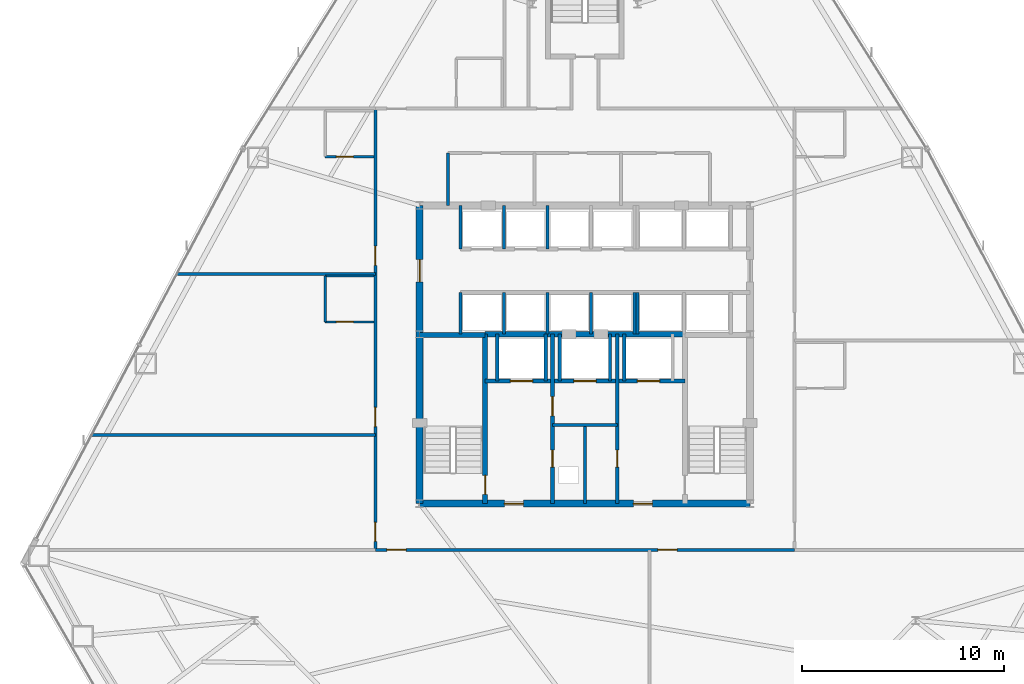
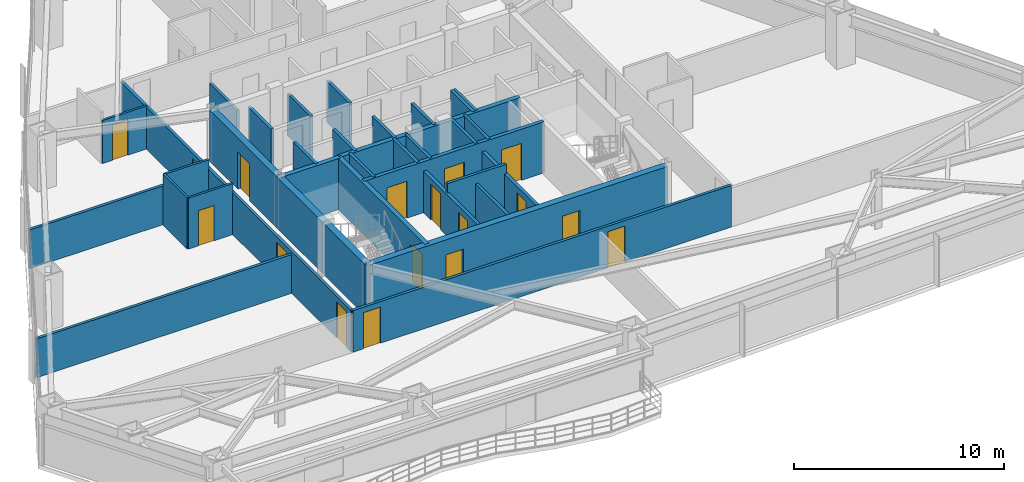
# One storey, part 9 of 13: 33 walls, 17 doors, 17 openings.
"""IFC4 building model written with IfcOpenShell, lengths in metres."""

from ifc_helpers import new_model, si_unit, direction, frame, frame_2d, origin, place, context, subcontext, project, spatial, rectangle, extrude, material, layer, layer_set, type_object, element, fill, save


model = new_model("IFC4")

# Units and contexts
model_context = context("Model", 3, precision=1e-05, world=origin(), true_north=direction((0.0, 1.0)))
body_context = subcontext(model_context, "Body", "Model", "MODEL_VIEW")
ifc_project = project(units=[si_unit("LENGTHUNIT", "METRE"), si_unit("AREAUNIT", "SQUARE_METRE"), si_unit("VOLUMEUNIT", "CUBIC_METRE"), si_unit("PLANEANGLEUNIT", "RADIAN"), si_unit("MASSUNIT", "GRAM", prefix="KILO")], contexts=[model_context])

# Site, building, storey
site_placement = place(None, origin())
site = spatial("IfcSite", under=ifc_project, at=site_placement, CompositionType="ELEMENT")
building_placement = place(site_placement, origin())
building = spatial("IfcBuilding", under=site, at=building_placement, Name="Varakhsha Concourse Tower", CompositionType="ELEMENT")
storey_placement = place(building_placement, frame((0.0, 0.0, 92.60009765625)))
storey = spatial("IfcBuildingStorey", under=building, at=storey_placement, Name="L26", CompositionType="ELEMENT", Elevation=92.60009765625)

# Wall, openings, doors
ifc_material_1 = material(Name="Concrete fc 65 MPa", Category="concrete")
ifc_layer_1 = layer(ifc_material_1, 0.35009765625, Name="WL-CORE-350")
ifc_layer_set_1 = layer_set([ifc_layer_1], Name="Concrete fc 65 MPa")
wall_type_1 = type_object("IfcWallType", Name="WL-CORE-350", PredefinedType="SHEAR", material=ifc_layer_set_1)
wall_1_placement = place(storey_placement, frame((31.800048828125, 16.39990234375, 0.0), z_axis=(0.0, 0.0, 1.0), x_axis=(1.0, 0.0, 0.0)))
wall_1 = element("IfcWall", 1, at=wall_1_placement, inside=storey, type_object=wall_type_1, Name="L26 Wall CWALL-S-L26", PredefinedType="SHEAR", context=body_context, shape_type="SweptSolid", body=[
    extrude(rectangle(XDim=16.39990234375, YDim=0.35009765625, at=frame_2d((8.199951171875, 0.0))), origin(), (0.0, 0.0, 1.0), 2.969970703125),
])
opening_1_placement = place(wall_1_placement, frame((4.199951171875, 0.0, 0.0)))
opening_1 = element("IfcOpeningElement", 2, at=opening_1_placement, cuts=wall_1, Name="Opening DF-05", PredefinedType="OPENING", context=body_context, shape_type="SweptSolid", body=[
    extrude(rectangle(XDim=0.949951171875, YDim=2.10009765625, at=frame_2d((0.47509765625, 1.050048828125))), frame((0.0, 0.18505859375, 0.0), z_axis=(0.0, -1.0, 0.0), x_axis=(1.0, 0.0, 0.0)), (0.0, 0.0, 1.0), 0.3701171875),
])
opening_2_placement = place(wall_1_placement, frame((10.60009765625, 0.0, 0.0)))
opening_2 = element("IfcOpeningElement", 3, at=opening_2_placement, cuts=wall_1, Name="Opening DF-05", PredefinedType="OPENING", context=body_context, shape_type="SweptSolid", body=[
    extrude(rectangle(XDim=0.949951171875, YDim=2.10009765625, at=frame_2d((0.47509765625, 1.050048828125))), frame((0.0, 0.18505859375, 0.0), z_axis=(0.0, -1.0, 0.0), x_axis=(1.0, 0.0, 0.0)), (0.0, 0.0, 1.0), 0.3701171875),
])
ifc_material_2 = material(Name="Hollow Galvanised Steel Fire Door Assembly", Category="steel")
door_type_1 = type_object("IfcDoorType", Name="DR-FD60-950", OperationType="NOTDEFINED", PredefinedType="DOOR", material=ifc_material_2)
door_1_placement = place(opening_1_placement, origin())
door_1 = element("IfcDoor", 4, at=door_1_placement, inside=storey, type_object=door_type_1, Name="L26 Firefighting Lobby West Door", OperationType="SINGLE_SWING_RIGHT", OverallHeight=2.10009765625, OverallWidth=0.949951171875, PredefinedType="DOOR", context=body_context, shape_type="SweptSolid", body=[
    extrude(rectangle(XDim=0.949951171875, YDim=2.10009765625, at=frame_2d((0.47509765625, 1.050048828125))), frame((0.0, 0.02490234375, 0.0), z_axis=(0.0, -1.0, 0.0), x_axis=(1.0, 0.0, 0.0)), (0.0, 0.0, 1.0), 0.050048828125),
])
fill(opening_1, door_1)
door_2_placement = place(opening_2_placement, origin())
door_2 = element("IfcDoor", 5, at=door_2_placement, inside=storey, type_object=door_type_1, Name="L26 Firefighting Lobby East Door", OperationType="SINGLE_SWING_LEFT", OverallHeight=2.10009765625, OverallWidth=0.949951171875, PredefinedType="DOOR", context=body_context, shape_type="SweptSolid", body=[
    extrude(rectangle(XDim=0.949951171875, YDim=2.10009765625, at=frame_2d((0.47509765625, 1.050048828125))), frame((0.0, 0.02490234375, 0.0), z_axis=(0.0, -1.0, 0.0), x_axis=(1.0, 0.0, 0.0)), (0.0, 0.0, 1.0), 0.050048828125),
])
fill(opening_2, door_2)

# Wall, opening, door
wall_2_placement = place(storey_placement, frame((31.800048828125, 16.39990234375, 0.0), z_axis=(0.0, 0.0, 1.0), x_axis=(0.0, 1.0, 0.0)))
wall_2 = element("IfcWall", 6, at=wall_2_placement, inside=storey, type_object=wall_type_1, Name="L26 Wall CWALL-W-L26", PredefinedType="SHEAR", context=body_context, shape_type="SweptSolid", body=[
    extrude(rectangle(XDim=14.800048828125, YDim=0.35009765625, at=frame_2d((7.39990234375, 0.0))), origin(), (0.0, 0.0, 1.0), 2.969970703125),
])
opening_3_placement = place(wall_2_placement, frame((11.0, 0.0, 0.0)))
opening_3 = element("IfcOpeningElement", 7, at=opening_3_placement, cuts=wall_2, Name="Opening DL-01", PredefinedType="OPENING", context=body_context, shape_type="SweptSolid", body=[
    extrude(rectangle(XDim=1.10009765625, YDim=2.14990234375, at=frame_2d((0.550048828125, 1.074951171875))), frame((0.0, 0.18505859375, 0.0), z_axis=(0.0, -1.0, 0.0), x_axis=(1.0, 0.0, 0.0)), (0.0, 0.0, 1.0), 0.3701171875),
])
ifc_material_3 = material(Name="Anodised Bronze Architectural Aluminium AA 6063-T6", Category="aluminium")
door_type_2 = type_object("IfcDoorType", Name="DR-LOB-1100", OperationType="NOTDEFINED", PredefinedType="DOOR", material=ifc_material_3)
door_3_placement = place(opening_3_placement, origin())
door_3 = element("IfcDoor", 8, at=door_3_placement, inside=storey, type_object=door_type_2, Name="L26 Lift Lobby West Concourse Door", OperationType="SINGLE_SWING_LEFT", OverallHeight=2.14990234375, OverallWidth=1.10009765625, PredefinedType="DOOR", context=body_context, shape_type="SweptSolid", body=[
    extrude(rectangle(XDim=1.10009765625, YDim=2.14990234375, at=frame_2d((0.550048828125, 1.074951171875))), frame((0.0, 0.02490234375, 0.0), z_axis=(0.0, -1.0, 0.0), x_axis=(1.0, 0.0, 0.0)), (0.0, 0.0, 1.0), 0.050048828125),
])
fill(opening_3, door_3)

# Wall, openings, doors
ifc_material_4 = material(Name="Fire-Rated Type X Gypsum Partition Assembly", Category="gypsum")
ifc_layer_2 = layer(ifc_material_4, 0.179931640625, Name="WL-FFLOB-180")
ifc_layer_set_2 = layer_set([ifc_layer_2], Name="Fire-Rated Type X Gypsum Partition Assembly")
wall_type_2 = type_object("IfcWallType", Name="WL-FFLOB-180", PredefinedType="PARTITIONING", material=ifc_layer_set_2)
wall_3_placement = place(storey_placement, frame((38.389892578125, 16.39990234375, 0.0), z_axis=(0.0, 0.0, 1.0), x_axis=(0.0, 1.0, 0.0)))
wall_3 = element("IfcWall", 9, at=wall_3_placement, inside=storey, type_object=wall_type_2, Name="L26 Wall FFW-1E-L26", PredefinedType="PARTITIONING", context=body_context, shape_type="SweptSolid", body=[
    extrude(rectangle(XDim=8.400146484375, YDim=0.179931640625, at=frame_2d((4.2001953125, 0.0))), origin(), (0.0, 0.0, 1.0), 2.4208984375),
])
opening_4_placement = place(wall_3_placement, frame((1.800048828125, 0.0, 0.0)))
opening_4 = element("IfcOpeningElement", 10, at=opening_4_placement, cuts=wall_3, Name="Opening DF-07", PredefinedType="OPENING", context=body_context, shape_type="SweptSolid", body=[
    extrude(rectangle(XDim=0.85009765625, YDim=2.050048828125, at=frame_2d((0.425048828125, 1.02490234375))), frame((0.0, 0.099853515625, 0.0), z_axis=(0.0, -1.0, 0.0), x_axis=(1.0, 0.0, 0.0)), (0.0, 0.0, 1.0), 0.199951171875),
])
opening_5_placement = place(wall_3_placement, frame((4.35009765625, 0.0, 0.0)))
opening_5 = element("IfcOpeningElement", 11, at=opening_5_placement, cuts=wall_3, Name="Opening DF-05", PredefinedType="OPENING", context=body_context, shape_type="SweptSolid", body=[
    extrude(rectangle(XDim=0.949951171875, YDim=2.10009765625, at=frame_2d((0.47509765625, 1.050048828125))), frame((0.0, 0.099853515625, 0.0), z_axis=(0.0, -1.0, 0.0), x_axis=(1.0, 0.0, 0.0)), (0.0, 0.0, 1.0), 0.199951171875),
])
door_type_3 = type_object("IfcDoorType", Name="DR-FD60-850", OperationType="NOTDEFINED", PredefinedType="DOOR", material=ifc_material_2)
door_4_placement = place(opening_4_placement, origin())
door_4 = element("IfcDoor", 12, at=door_4_placement, inside=storey, type_object=door_type_3, Name="L26 Power Metering Closet Door", OperationType="SINGLE_SWING_LEFT", OverallHeight=2.050048828125, OverallWidth=0.85009765625, PredefinedType="DOOR", context=body_context, shape_type="SweptSolid", body=[
    extrude(rectangle(XDim=0.85009765625, YDim=2.050048828125, at=frame_2d((0.425048828125, 1.02490234375))), frame((0.0, 0.02490234375, 0.0), z_axis=(0.0, -1.0, 0.0), x_axis=(1.0, 0.0, 0.0)), (0.0, 0.0, 1.0), 0.050048828125),
])
fill(opening_4, door_4)
door_5_placement = place(opening_5_placement, origin())
door_5 = element("IfcDoor", 13, at=door_5_placement, inside=storey, type_object=door_type_1, Name="L26 Service Vestibule Door", OperationType="SINGLE_SWING_RIGHT", OverallHeight=2.10009765625, OverallWidth=0.949951171875, PredefinedType="DOOR", context=body_context, shape_type="SweptSolid", body=[
    extrude(rectangle(XDim=0.949951171875, YDim=2.10009765625, at=frame_2d((0.47509765625, 1.050048828125))), frame((0.0, 0.02490234375, 0.0), z_axis=(0.0, -1.0, 0.0), x_axis=(1.0, 0.0, 0.0)), (0.0, 0.0, 1.0), 0.050048828125),
])
fill(opening_5, door_5)

# Wall, opening, door
wall_4_placement = place(storey_placement, frame((41.610107421875, 16.39990234375, 0.0), z_axis=(0.0, 0.0, 1.0), x_axis=(0.0, 1.0, 0.0)))
wall_4 = element("IfcWall", 14, at=wall_4_placement, inside=storey, type_object=wall_type_2, Name="L26 Wall FFW-2W-L26", PredefinedType="PARTITIONING", context=body_context, shape_type="SweptSolid", body=[
    extrude(rectangle(XDim=8.400146484375, YDim=0.179931640625, at=frame_2d((4.2001953125, 0.0))), origin(), (0.0, 0.0, 1.0), 2.4208984375),
])
opening_6_placement = place(wall_4_placement, frame((1.800048828125, 0.0, 0.0)))
opening_6 = element("IfcOpeningElement", 15, at=opening_6_placement, cuts=wall_4, Name="Opening DF-07", PredefinedType="OPENING", context=body_context, shape_type="SweptSolid", body=[
    extrude(rectangle(XDim=0.85009765625, YDim=2.050048828125, at=frame_2d((0.425048828125, 1.02490234375))), frame((0.0, 0.099853515625, 0.0), z_axis=(0.0, -1.0, 0.0), x_axis=(1.0, 0.0, 0.0)), (0.0, 0.0, 1.0), 0.199951171875),
])
door_6_placement = place(opening_6_placement, origin())
door_6 = element("IfcDoor", 16, at=door_6_placement, inside=storey, type_object=door_type_3, Name="L26 BMS Control Closet Door", OperationType="SINGLE_SWING_RIGHT", OverallHeight=2.050048828125, OverallWidth=0.85009765625, PredefinedType="DOOR", context=body_context, shape_type="SweptSolid", body=[
    extrude(rectangle(XDim=0.85009765625, YDim=2.050048828125, at=frame_2d((0.425048828125, 1.02490234375))), frame((0.0, 0.02490234375, 0.0), z_axis=(0.0, -1.0, 0.0), x_axis=(1.0, 0.0, 0.0)), (0.0, 0.0, 1.0), 0.050048828125),
])
fill(opening_6, door_6)

# Wall
ifc_material_5 = material(Name="Acoustic Gypsum Board Partition Assembly", Category="gypsum")
ifc_layer_3 = layer(ifc_material_5, 0.1201171875, Name="WL-PART-120")
ifc_layer_set_3 = layer_set([ifc_layer_3], Name="Acoustic Gypsum Board Partition Assembly")
wall_type_3 = type_object("IfcWallType", Name="WL-PART-120", PredefinedType="PARTITIONING", material=ifc_layer_set_3)
wall_5_placement = place(storey_placement, frame((27.110107421875, 25.409912109375, 0.0), z_axis=(0.0, 0.0, 1.0), x_axis=(0.0, 1.0, 0.0)))
element("IfcWall", 17, at=wall_5_placement, inside=storey, type_object=wall_type_3, Name="L26 Wall ENSW-W-L26-H04", PredefinedType="PARTITIONING", context=body_context, shape_type="SweptSolid", body=[
    extrude(rectangle(XDim=2.280029296875, YDim=0.1201171875, at=frame_2d((1.14013671875, 0.0))), origin(), (0.0, 0.0, 1.0), 2.969970703125),
])

# Wall, opening, door
wall_6_placement = place(storey_placement, frame((27.110107421875, 25.409912109375, 0.0), z_axis=(0.0, 0.0, 1.0), x_axis=(1.0, 0.0, 0.0)))
wall_6 = element("IfcWall", 18, at=wall_6_placement, inside=storey, type_object=wall_type_3, Name="L26 Wall ENSW-S-L26-H04", PredefinedType="PARTITIONING", context=body_context, shape_type="SweptSolid", body=[
    extrude(rectangle(XDim=2.429931640625, YDim=0.1201171875, at=frame_2d((1.21484375, 0.0))), origin(), (0.0, 0.0, 1.0), 2.969970703125),
])
opening_7_placement = place(wall_6_placement, frame((0.550048828125, 0.0, 0.0)))
opening_7 = element("IfcOpeningElement", 19, at=opening_7_placement, cuts=wall_6, Name="Opening DI-01", PredefinedType="OPENING", context=body_context, shape_type="SweptSolid", body=[
    extrude(rectangle(XDim=0.85009765625, YDim=2.050048828125, at=frame_2d((0.425048828125, 1.02490234375))), frame((0.0, 0.070068359375, 0.0), z_axis=(0.0, -1.0, 0.0), x_axis=(1.0, 0.0, 0.0)), (0.0, 0.0, 1.0), 0.14013671875),
])
ifc_material_6 = material(Name="Architectural Walnut Acoustic Timber Door", Category="wood")
door_type_4 = type_object("IfcDoorType", Name="DR-INT-850", OperationType="NOTDEFINED", PredefinedType="DOOR", material=ifc_material_6)
door_7_placement = place(opening_7_placement, origin())
door_7 = element("IfcDoor", 20, at=door_7_placement, inside=storey, type_object=door_type_4, Name="L26 En-suite Bathroom Door L26-H04", OperationType="SINGLE_SWING_RIGHT", OverallHeight=2.050048828125, OverallWidth=0.85009765625, PredefinedType="DOOR", context=body_context, shape_type="SweptSolid", body=[
    extrude(rectangle(XDim=0.85009765625, YDim=2.050048828125, at=frame_2d((0.425048828125, 1.02490234375))), frame((0.0, 0.02490234375, 0.0), z_axis=(0.0, -1.0, 0.0), x_axis=(1.0, 0.0, 0.0)), (0.0, 0.0, 1.0), 0.050048828125),
])
fill(opening_7, door_7)

# Wall
wall_7_placement = place(storey_placement, frame((27.110107421875, 27.68994140625, 0.0), z_axis=(0.0, 0.0, 1.0), x_axis=(1.0, 0.0, 0.0)))
element("IfcWall", 21, at=wall_7_placement, inside=storey, type_object=wall_type_3, Name="L26 Wall ENSW-N-L26-H04", PredefinedType="PARTITIONING", context=body_context, shape_type="SweptSolid", body=[
    extrude(rectangle(XDim=2.429931640625, YDim=0.1201171875, at=frame_2d((1.21484375, 0.0))), origin(), (0.0, 0.0, 1.0), 2.969970703125),
])

# Wall, opening, door
wall_8_placement = place(storey_placement, frame((27.110107421875, 33.610107421875, 0.0), z_axis=(0.0, 0.0, 1.0), x_axis=(1.0, 0.0, 0.0)))
wall_8 = element("IfcWall", 22, at=wall_8_placement, inside=storey, type_object=wall_type_3, Name="L26 Wall ENSW-S-L26-H05", PredefinedType="PARTITIONING", context=body_context, shape_type="SweptSolid", body=[
    extrude(rectangle(XDim=2.429931640625, YDim=0.1201171875, at=frame_2d((1.21484375, 0.0))), origin(), (0.0, 0.0, 1.0), 2.5029296875),
])
opening_8_placement = place(wall_8_placement, frame((0.550048828125, 0.0, 0.0)))
opening_8 = element("IfcOpeningElement", 23, at=opening_8_placement, cuts=wall_8, Name="Opening DI-01", PredefinedType="OPENING", context=body_context, shape_type="SweptSolid", body=[
    extrude(rectangle(XDim=0.85009765625, YDim=2.050048828125, at=frame_2d((0.425048828125, 1.02490234375))), frame((0.0, 0.070068359375, 0.0), z_axis=(0.0, -1.0, 0.0), x_axis=(1.0, 0.0, 0.0)), (0.0, 0.0, 1.0), 0.14013671875),
])
door_8_placement = place(opening_8_placement, origin())
door_8 = element("IfcDoor", 24, at=door_8_placement, inside=storey, type_object=door_type_4, Name="L26 En-suite Bathroom Door L26-H05", OperationType="SINGLE_SWING_RIGHT", OverallHeight=2.050048828125, OverallWidth=0.85009765625, PredefinedType="DOOR", context=body_context, shape_type="SweptSolid", body=[
    extrude(rectangle(XDim=0.85009765625, YDim=2.050048828125, at=frame_2d((0.425048828125, 1.02490234375))), frame((0.0, 0.02490234375, 0.0), z_axis=(0.0, -1.0, 0.0), x_axis=(1.0, 0.0, 0.0)), (0.0, 0.0, 1.0), 0.050048828125),
])
fill(opening_8, door_8)

# Walls
ifc_layer_4 = layer(ifc_material_4, 0.14990234375, Name="WL-PART-150")
ifc_layer_set_4 = layer_set([ifc_layer_4], Name="Fire-Rated Type X Gypsum Partition Assembly")
wall_type_4 = type_object("IfcWallType", Name="WL-PART-150", PredefinedType="PARTITIONING", material=ifc_layer_set_4)
wall_9_placement = place(storey_placement, frame((38.389892578125, 20.300048828125, 0.0), z_axis=(0.0, 0.0, 1.0), x_axis=(1.0, 0.0, 0.0)))
element("IfcWall", 25, at=wall_9_placement, inside=storey, type_object=wall_type_4, Name="L26 Wall RSW-TH-L26", PredefinedType="PARTITIONING", context=body_context, shape_type="SweptSolid", body=[
    extrude(rectangle(XDim=3.22021484375, YDim=0.14990234375, at=frame_2d((1.610107421875, 0.0))), origin(), (0.0, 0.0, 1.0), 2.969970703125),
])
wall_10_placement = place(storey_placement, frame((40.0, 16.39990234375, 0.0), z_axis=(0.0, 0.0, 1.0), x_axis=(0.0, 1.0, 0.0)))
element("IfcWall", 26, at=wall_10_placement, inside=storey, type_object=wall_type_4, Name="L26 Wall RSW-TV-L26", PredefinedType="PARTITIONING", context=body_context, shape_type="SweptSolid", body=[
    extrude(rectangle(XDim=3.900146484375, YDim=0.14990234375, at=frame_2d((1.9501953125, 0.0))), origin(), (0.0, 0.0, 1.0), 2.4208984375),
])
wall_11_placement = place(storey_placement, frame((33.199951171875, 31.199951171875, 0.0), z_axis=(0.0, 0.0, 1.0), x_axis=(0.0, 1.0, 0.0)))
element("IfcWall", 27, at=wall_11_placement, inside=storey, type_object=wall_type_4, Name="L26 Wall NBOH-W-L26", PredefinedType="PARTITIONING", context=body_context, shape_type="SweptSolid", body=[
    extrude(rectangle(XDim=2.60009765625, YDim=0.14990234375, at=frame_2d((1.300048828125, 0.0))), origin(), (0.0, 0.0, 1.0), 2.4208984375),
])

# Wall, openings, doors
wall_12_placement = place(storey_placement, frame((29.60009765625, 14.10009765625, 0.0), z_axis=(0.0, 0.0, 1.0), x_axis=(1.0, 0.0, 0.0)))
wall_12 = element("IfcWall", 28, at=wall_12_placement, inside=storey, type_object=wall_type_4, Name="L26 Wall CRW-S-L26", PredefinedType="PARTITIONING", context=body_context, shape_type="SweptSolid", body=[
    extrude(rectangle(XDim=20.7998046875, YDim=0.14990234375, at=frame_2d((10.39990234375, 0.0))), origin(), (0.0, 0.0, 1.0), 2.4208984375),
])
opening_9_placement = place(wall_12_placement, frame((0.570068359375, 0.0, 0.0)))
opening_9 = element("IfcOpeningElement", 29, at=opening_9_placement, cuts=wall_12, Name="Opening DF-05", PredefinedType="OPENING", context=body_context, shape_type="SweptSolid", body=[
    extrude(rectangle(XDim=0.949951171875, YDim=2.10009765625, at=frame_2d((0.47509765625, 1.050048828125))), frame((0.0, 0.0849609375, 0.0), z_axis=(0.0, -1.0, 0.0), x_axis=(1.0, 0.0, 0.0)), (0.0, 0.0, 1.0), 0.169921875),
])
opening_10_placement = place(wall_12_placement, frame((14.02001953125, 0.0, 0.0)))
opening_10 = element("IfcOpeningElement", 30, at=opening_10_placement, cuts=wall_12, Name="Opening DF-05", PredefinedType="OPENING", context=body_context, shape_type="SweptSolid", body=[
    extrude(rectangle(XDim=0.949951171875, YDim=2.10009765625, at=frame_2d((0.47509765625, 1.050048828125))), frame((0.0, 0.0849609375, 0.0), z_axis=(0.0, -1.0, 0.0), x_axis=(1.0, 0.0, 0.0)), (0.0, 0.0, 1.0), 0.169921875),
])
door_9_placement = place(opening_9_placement, origin())
door_9 = element("IfcDoor", 31, at=door_9_placement, inside=storey, type_object=door_type_1, Name="L26 Hospitality Conservatory Lounge L26-H01 Door", OperationType="SINGLE_SWING_LEFT", OverallHeight=2.10009765625, OverallWidth=0.949951171875, PredefinedType="DOOR", context=body_context, shape_type="SweptSolid", body=[
    extrude(rectangle(XDim=0.949951171875, YDim=2.10009765625, at=frame_2d((0.47509765625, 1.050048828125))), frame((0.0, 0.02490234375, 0.0), z_axis=(0.0, -1.0, 0.0), x_axis=(1.0, 0.0, 0.0)), (0.0, 0.0, 1.0), 0.050048828125),
])
fill(opening_9, door_9)
door_10_placement = place(opening_10_placement, origin())
door_10 = element("IfcDoor", 32, at=door_10_placement, inside=storey, type_object=door_type_1, Name="L26 Hospitality Conservatory Lounge L26-H02 Door", OperationType="SINGLE_SWING_RIGHT", OverallHeight=2.10009765625, OverallWidth=0.949951171875, PredefinedType="DOOR", context=body_context, shape_type="SweptSolid", body=[
    extrude(rectangle(XDim=0.949951171875, YDim=2.10009765625, at=frame_2d((0.47509765625, 1.050048828125))), frame((0.0, 0.02490234375, 0.0), z_axis=(0.0, -1.0, 0.0), x_axis=(1.0, 0.0, 0.0)), (0.0, 0.0, 1.0), 0.050048828125),
])
fill(opening_10, door_10)

wall_13_placement = place(storey_placement, frame((29.60009765625, 14.10009765625, 0.0), z_axis=(0.0, 0.0, 1.0), x_axis=(0.0, 1.0, 0.0)))
wall_13 = element("IfcWall", 33, at=wall_13_placement, inside=storey, type_object=wall_type_4, Name="L26 Wall CRW-W-L26", PredefinedType="PARTITIONING", context=body_context, shape_type="SweptSolid", body=[
    extrude(rectangle(XDim=21.89990234375, YDim=0.14990234375, at=frame_2d((10.949951171875, 0.0))), origin(), (0.0, 0.0, 1.0), 2.4208984375),
])
opening_11_placement = place(wall_13_placement, frame((0.419921875, 0.0, 0.0)))
opening_11 = element("IfcOpeningElement", 34, at=opening_11_placement, cuts=wall_13, Name="Opening DF-05", PredefinedType="OPENING", context=body_context, shape_type="SweptSolid", body=[
    extrude(rectangle(XDim=0.949951171875, YDim=2.10009765625, at=frame_2d((0.47509765625, 1.050048828125))), frame((0.0, 0.0849609375, 0.0), z_axis=(0.0, -1.0, 0.0), x_axis=(1.0, 0.0, 0.0)), (0.0, 0.0, 1.0), 0.169921875),
])
opening_12_placement = place(wall_13_placement, frame((6.1201171875, 0.0, 0.0)))
opening_12 = element("IfcOpeningElement", 35, at=opening_12_placement, cuts=wall_13, Name="Opening DF-05", PredefinedType="OPENING", context=body_context, shape_type="SweptSolid", body=[
    extrude(rectangle(XDim=0.949951171875, YDim=2.10009765625, at=frame_2d((0.47509765625, 1.050048828125))), frame((0.0, 0.0849609375, 0.0), z_axis=(0.0, -1.0, 0.0), x_axis=(1.0, 0.0, 0.0)), (0.0, 0.0, 1.0), 0.169921875),
])
opening_13_placement = place(wall_13_placement, frame((14.1201171875, 0.0, 0.0)))
opening_13 = element("IfcOpeningElement", 36, at=opening_13_placement, cuts=wall_13, Name="Opening DF-05", PredefinedType="OPENING", context=body_context, shape_type="SweptSolid", body=[
    extrude(rectangle(XDim=0.949951171875, YDim=2.10009765625, at=frame_2d((0.47509765625, 1.050048828125))), frame((0.0, 0.0849609375, 0.0), z_axis=(0.0, -1.0, 0.0), x_axis=(1.0, 0.0, 0.0)), (0.0, 0.0, 1.0), 0.169921875),
])
door_11_placement = place(opening_11_placement, origin())
door_11 = element("IfcDoor", 37, at=door_11_placement, inside=storey, type_object=door_type_1, Name="L26 Hospitality Conservatory Lounge L26-H03 Door", OperationType="SINGLE_SWING_LEFT", OverallHeight=2.10009765625, OverallWidth=0.949951171875, PredefinedType="DOOR", context=body_context, shape_type="SweptSolid", body=[
    extrude(rectangle(XDim=0.949951171875, YDim=2.10009765625, at=frame_2d((0.47509765625, 1.050048828125))), frame((0.0, 0.02490234375, 0.0), z_axis=(0.0, -1.0, 0.0), x_axis=(1.0, 0.0, 0.0)), (0.0, 0.0, 1.0), 0.050048828125),
])
fill(opening_11, door_11)
door_12_placement = place(opening_12_placement, origin())
door_12 = element("IfcDoor", 38, at=door_12_placement, inside=storey, type_object=door_type_1, Name="L26 Hotel Corner Suite L26-H04 Entry Door", OperationType="SINGLE_SWING_RIGHT", OverallHeight=2.10009765625, OverallWidth=0.949951171875, PredefinedType="DOOR", context=body_context, shape_type="SweptSolid", body=[
    extrude(rectangle(XDim=0.949951171875, YDim=2.10009765625, at=frame_2d((0.47509765625, 1.050048828125))), frame((0.0, 0.02490234375, 0.0), z_axis=(0.0, -1.0, 0.0), x_axis=(1.0, 0.0, 0.0)), (0.0, 0.0, 1.0), 0.050048828125),
])
fill(opening_12, door_12)
door_13_placement = place(opening_13_placement, origin())
door_13 = element("IfcDoor", 39, at=door_13_placement, inside=storey, type_object=door_type_1, Name="L26 Hotel Corner Suite L26-H05 Entry Door", OperationType="SINGLE_SWING_LEFT", OverallHeight=2.10009765625, OverallWidth=0.949951171875, PredefinedType="DOOR", context=body_context, shape_type="SweptSolid", body=[
    extrude(rectangle(XDim=0.949951171875, YDim=2.10009765625, at=frame_2d((0.47509765625, 1.050048828125))), frame((0.0, 0.02490234375, 0.0), z_axis=(0.0, -1.0, 0.0), x_axis=(1.0, 0.0, 0.0)), (0.0, 0.0, 1.0), 0.050048828125),
])
fill(opening_13, door_13)

# Walls
wall_14_placement = place(storey_placement, frame((15.52001953125, 19.800048828125, 0.0), z_axis=(0.0, 0.0, 1.0), x_axis=(1.0, 0.0, 0.0)))
element("IfcWall", 40, at=wall_14_placement, inside=storey, type_object=wall_type_4, Name="L26 Wall HDIV-W1-L26", PredefinedType="PARTITIONING", context=body_context, shape_type="SweptSolid", body=[
    extrude(rectangle(XDim=14.080078125, YDim=0.14990234375, at=frame_2d((7.0400390625, 0.0))), origin(), (0.0, 0.0, 1.0), 2.2578125),
])
wall_15_placement = place(storey_placement, frame((19.758056640625, 27.800048828125, 0.0), z_axis=(0.0, 0.0, 1.0), x_axis=(1.0, 0.0, 0.0)))
element("IfcWall", 41, at=wall_15_placement, inside=storey, type_object=wall_type_4, Name="L26 Wall HDIV-W2-L26", PredefinedType="PARTITIONING", context=body_context, shape_type="SweptSolid", body=[
    extrude(rectangle(XDim=9.842041015625, YDim=0.14990234375, at=frame_2d((4.9208984375, 0.0))), origin(), (0.0, 0.0, 1.0), 2.2578125),
])

# Wall, openings, doors
ifc_layer_5 = layer(ifc_material_4, 0.199951171875, Name="WL-SHAFT-220")
ifc_layer_set_5 = layer_set([ifc_layer_5], Name="Fire-Rated Type X Gypsum Partition Assembly")
wall_type_5 = type_object("IfcWallType", Name="WL-SHAFT-220", PredefinedType="SOLIDWALL", material=ifc_layer_set_5)
wall_16_placement = place(storey_placement, frame((35.044921875, 22.47998046875, 0.0), z_axis=(0.0, 0.0, 1.0), x_axis=(1.0, 0.0, 0.0)))
wall_16 = element("IfcWall", 42, at=wall_16_placement, inside=storey, type_object=wall_type_5, Name="L26 Wall FFW-NH-L26", PredefinedType="SOLIDWALL", context=body_context, shape_type="SweptSolid", body=[
    extrude(rectangle(XDim=9.91015625, YDim=0.199951171875, at=frame_2d((4.955078125, 0.0))), origin(), (0.0, 0.0, 1.0), 2.969970703125),
])
opening_14_placement = place(wall_16_placement, frame((1.2548828125, 0.0, 0.0)))
opening_14 = element("IfcOpeningElement", 43, at=opening_14_placement, cuts=wall_16, Name="Opening LD-FFL-1", PredefinedType="OPENING", context=body_context, shape_type="SweptSolid", body=[
    extrude(rectangle(XDim=1.10009765625, YDim=2.14990234375, at=frame_2d((0.550048828125, 1.074951171875))), frame((0.0, 0.10986328125, 0.0), z_axis=(0.0, -1.0, 0.0), x_axis=(1.0, 0.0, 0.0)), (0.0, 0.0, 1.0), 0.219970703125),
])
opening_15_placement = place(wall_16_placement, frame((7.554931640625, 0.0, 0.0)))
opening_15 = element("IfcOpeningElement", 44, at=opening_15_placement, cuts=wall_16, Name="Opening LD-FFL-2", PredefinedType="OPENING", context=body_context, shape_type="SweptSolid", body=[
    extrude(rectangle(XDim=1.10009765625, YDim=2.14990234375, at=frame_2d((0.550048828125, 1.074951171875))), frame((0.0, 0.10986328125, 0.0), z_axis=(0.0, -1.0, 0.0), x_axis=(1.0, 0.0, 0.0)), (0.0, 0.0, 1.0), 0.219970703125),
])
opening_16_placement = place(wall_16_placement, frame((4.405029296875, 0.0, 0.0)))
opening_16 = element("IfcOpeningElement", 45, at=opening_16_placement, cuts=wall_16, Name="Opening LD-SVL-1", PredefinedType="OPENING", context=body_context, shape_type="SweptSolid", body=[
    extrude(rectangle(XDim=1.10009765625, YDim=2.14990234375, at=frame_2d((0.550048828125, 1.074951171875))), frame((0.0, 0.10986328125, 0.0), z_axis=(0.0, -1.0, 0.0), x_axis=(1.0, 0.0, 0.0)), (0.0, 0.0, 1.0), 0.219970703125),
])
ifc_material_7 = material(Name="Brushed Austenitic Stainless Steel AISI 316", Category="steel")
door_type_5 = type_object("IfcDoorType", Name="DR-LD-1100", OperationType="DOUBLE_DOOR_SLIDING", PredefinedType="DOOR", material=ifc_material_7)
door_14_placement = place(opening_14_placement, origin())
door_14 = element("IfcDoor", 46, at=door_14_placement, inside=storey, type_object=door_type_5, Name="Lift Landing Door FFL-1 L26", OperationType="DOUBLE_DOOR_SLIDING", OverallHeight=2.14990234375, OverallWidth=1.10009765625, PredefinedType="DOOR", context=body_context, shape_type="SweptSolid", body=[
    extrude(rectangle(XDim=1.10009765625, YDim=2.14990234375, at=frame_2d((0.550048828125, 1.074951171875))), frame((0.0, 0.02490234375, 0.0), z_axis=(0.0, -1.0, 0.0), x_axis=(1.0, 0.0, 0.0)), (0.0, 0.0, 1.0), 0.050048828125),
])
fill(opening_14, door_14)
door_15_placement = place(opening_15_placement, origin())
door_15 = element("IfcDoor", 47, at=door_15_placement, inside=storey, type_object=door_type_5, Name="Lift Landing Door FFL-2 L26", OperationType="DOUBLE_DOOR_SLIDING", OverallHeight=2.14990234375, OverallWidth=1.10009765625, PredefinedType="DOOR", context=body_context, shape_type="SweptSolid", body=[
    extrude(rectangle(XDim=1.10009765625, YDim=2.14990234375, at=frame_2d((0.550048828125, 1.074951171875))), frame((0.0, 0.02490234375, 0.0), z_axis=(0.0, -1.0, 0.0), x_axis=(1.0, 0.0, 0.0)), (0.0, 0.0, 1.0), 0.050048828125),
])
fill(opening_15, door_15)
door_16_placement = place(opening_16_placement, origin())
door_16 = element("IfcDoor", 48, at=door_16_placement, inside=storey, type_object=door_type_5, Name="Lift Landing Door SVL-1 L26", OperationType="DOUBLE_DOOR_SLIDING", OverallHeight=2.14990234375, OverallWidth=1.10009765625, PredefinedType="DOOR", context=body_context, shape_type="SweptSolid", body=[
    extrude(rectangle(XDim=1.10009765625, YDim=2.14990234375, at=frame_2d((0.550048828125, 1.074951171875))), frame((0.0, 0.02490234375, 0.0), z_axis=(0.0, -1.0, 0.0), x_axis=(1.0, 0.0, 0.0)), (0.0, 0.0, 1.0), 0.050048828125),
])
fill(opening_16, door_16)

# Walls
for number, where, z_axis, x_axis, name in (
    (49, (35.64990234375, 22.47998046875, 0.0), (0.0, 0.0, 1.0), (0.0, 1.0, 0.0), "L26 Wall SHW-FFL-1-W-L26"),
    (50, (38.050048828125, 22.47998046875, 0.0), (0.0, 0.0, 1.0), (0.0, 1.0, 0.0), "L26 Wall SHW-FFL-1-E-L26"),
    (51, (41.949951171875, 22.47998046875, 0.0), (0.0, 0.0, 1.0), (0.0, 1.0, 0.0), "L26 Wall SHW-FFL-2-W-L26"),
    (52, (38.75, 22.47998046875, 0.0), (0.0, 0.0, 1.0), (0.0, 1.0, 0.0), "L26 Wall SHW-SVL-1-W-L26"),
    (53, (41.25, 22.47998046875, 0.0), (0.0, 0.0, 1.0), (0.0, 1.0, 0.0), "L26 Wall SHW-SVL-1-E-L26"),
):
    element("IfcWall", number, at=place(storey_placement, frame(where, z_axis=z_axis, x_axis=x_axis)), inside=storey, type_object=wall_type_5, Name=name, PredefinedType="SOLIDWALL", context=body_context, shape_type="SweptSolid", body=[
        extrude(rectangle(XDim=2.320068359375, YDim=0.159912109375, at=frame_2d((1.16015625, 0.0))), origin(), (0.0, 0.0, 1.0), 2.969970703125),
    ])
wall_17_placement = place(storey_placement, frame((33.820068359375, 29.02001953125, 0.0), z_axis=(0.0, 0.0, 1.0), x_axis=(0.0, 1.0, 0.0)))
element("IfcWall", 54, at=wall_17_placement, inside=storey, type_object=wall_type_5, Name="L26 Wall WBOH-E1-L26", PredefinedType="SOLIDWALL", context=body_context, shape_type="SweptSolid", body=[
    extrude(rectangle(XDim=2.179931640625, YDim=0.159912109375, at=frame_2d((1.08984375, 0.0))), origin(), (0.0, 0.0, 1.0), 2.4208984375),
])
wall_18_placement = place(storey_placement, frame((33.820068359375, 24.800048828125, 0.0), z_axis=(0.0, 0.0, 1.0), x_axis=(0.0, 1.0, 0.0)))
element("IfcWall", 55, at=wall_18_placement, inside=storey, type_object=wall_type_5, Name="L26 Wall WBOH-E2-L26", PredefinedType="SOLIDWALL", context=body_context, shape_type="SweptSolid", body=[
    extrude(rectangle(XDim=2.079833984375, YDim=0.159912109375, at=frame_2d((1.0400390625, 0.0))), origin(), (0.0, 0.0, 1.0), 2.969970703125),
])
for number, where, z_axis, x_axis, name in (
    (56, (35.97998046875, 29.02001953125, 0.0), (0.0, 0.0, 1.0), (0.0, 1.0, 0.0), "L26 Wall SHW-LF-P01-E-L26"),
    (57, (38.139892578125, 29.02001953125, 0.0), (0.0, 0.0, 1.0), (0.0, 1.0, 0.0), "L26 Wall SHW-LF-P02-E-L26"),
):
    element("IfcWall", number, at=place(storey_placement, frame(where, z_axis=z_axis, x_axis=x_axis)), inside=storey, type_object=wall_type_5, Name=name, PredefinedType="SOLIDWALL", context=body_context, shape_type="SweptSolid", body=[
        extrude(rectangle(XDim=2.179931640625, YDim=0.159912109375, at=frame_2d((1.08984375, 0.0))), origin(), (0.0, 0.0, 1.0), 2.4208984375),
    ])
for number, where, z_axis, x_axis, name in (
    (58, (35.97998046875, 24.800048828125, 0.0), (0.0, 0.0, 1.0), (0.0, 1.0, 0.0), "L26 Wall SHW-LF-P05-E-L26"),
    (59, (38.139892578125, 24.800048828125, 0.0), (0.0, 0.0, 1.0), (0.0, 1.0, 0.0), "L26 Wall SHW-LF-P06-E-L26"),
    (60, (40.300048828125, 24.800048828125, 0.0), (0.0, 0.0, 1.0), (0.0, 1.0, 0.0), "L26 Wall SHW-LF-P07-E-L26"),
    (61, (42.4599609375, 24.800048828125, 0.0), (0.0, 0.0, 1.0), (0.0, 1.0, 0.0), "L26 Wall SHW-LF-P08-E-L26"),
    (62, (42.60009765625, 24.800048828125, 0.0), (0.0, 0.0, 1.0), (0.0, 1.0, 0.0), "L26 Wall SHW-LF-P11-W-L26"),
):
    element("IfcWall", number, at=place(storey_placement, frame(where, z_axis=z_axis, x_axis=x_axis)), inside=storey, type_object=wall_type_5, Name=name, PredefinedType="SOLIDWALL", context=body_context, shape_type="SweptSolid", body=[
        extrude(rectangle(XDim=2.079833984375, YDim=0.159912109375, at=frame_2d((1.0400390625, 0.0))), origin(), (0.0, 0.0, 1.0), 2.969970703125),
    ])

# Wall, opening, door
ifc_material_8 = material(Name="Concrete fc 45 MPa", Category="concrete")
ifc_layer_6 = layer(ifc_material_8, 0.25, Name="WL-STAIR-250")
ifc_layer_set_6 = layer_set([ifc_layer_6], Name="Concrete fc 45 MPa")
wall_type_6 = type_object("IfcWallType", Name="WL-STAIR-250", PredefinedType="SHEAR", material=ifc_layer_set_6)
wall_19_placement = place(storey_placement, frame((35.044921875, 16.39990234375, 0.0), z_axis=(0.0, 0.0, 1.0), x_axis=(0.0, 1.0, 0.0)))
wall_19 = element("IfcWall", 63, at=wall_19_placement, inside=storey, type_object=wall_type_6, Name="L26 Wall SWALL-ST1-E-L26", PredefinedType="SHEAR", context=body_context, shape_type="SweptSolid", body=[
    extrude(rectangle(XDim=8.400146484375, YDim=0.25, at=frame_2d((4.2001953125, 0.0))), origin(), (0.0, 0.0, 1.0), 2.969970703125),
])
opening_17_placement = place(wall_19_placement, frame((0.449951171875, 0.0, 0.0)))
opening_17 = element("IfcOpeningElement", 64, at=opening_17_placement, cuts=wall_19, Name="Opening DF-03", PredefinedType="OPENING", context=body_context, shape_type="SweptSolid", body=[
    extrude(rectangle(XDim=0.949951171875, YDim=2.10009765625, at=frame_2d((0.47509765625, 1.050048828125))), frame((0.0, 0.135009765625, 0.0), z_axis=(0.0, -1.0, 0.0), x_axis=(1.0, 0.0, 0.0)), (0.0, 0.0, 1.0), 0.27001953125),
])
door_type_6 = type_object("IfcDoorType", Name="DR-FD90-950", OperationType="NOTDEFINED", PredefinedType="DOOR", material=ifc_material_2)
door_17_placement = place(opening_17_placement, origin())
door_17 = element("IfcDoor", 65, at=door_17_placement, inside=storey, type_object=door_type_6, Name="L26 Stair ST1 Fire Door", OperationType="SINGLE_SWING_LEFT", OverallHeight=2.10009765625, OverallWidth=0.949951171875, PredefinedType="DOOR", context=body_context, shape_type="SweptSolid", body=[
    extrude(rectangle(XDim=0.949951171875, YDim=2.10009765625, at=frame_2d((0.47509765625, 1.050048828125))), frame((0.0, 0.02490234375, 0.0), z_axis=(0.0, -1.0, 0.0), x_axis=(1.0, 0.0, 0.0)), (0.0, 0.0, 1.0), 0.050048828125),
])
fill(opening_17, door_17)

# Walls
wall_20_placement = place(storey_placement, frame((31.800048828125, 24.7548828125, 0.0), z_axis=(0.0, 0.0, 1.0), x_axis=(1.0, 0.0, 0.0)))
element("IfcWall", 66, at=wall_20_placement, inside=storey, type_object=wall_type_6, Name="L26 Wall SWALL-ST1-N-L26", PredefinedType="SHEAR", context=body_context, shape_type="SweptSolid", body=[
    extrude(rectangle(XDim=3.244873046875, YDim=0.25, at=frame_2d((1.62255859375, 0.0))), origin(), (0.0, 0.0, 1.0), 2.969970703125),
])
wall_21_placement = place(storey_placement, frame((35.044921875, 24.800048828125, 0.0), z_axis=(0.0, 0.0, 1.0), x_axis=(1.0, 0.0, 0.0)))
element("IfcWall", 67, at=wall_21_placement, inside=storey, type_object=wall_type_6, Name="L26 Wall SWALL-MID-H-L26", PredefinedType="SHEAR", context=body_context, shape_type="SweptSolid", body=[
    extrude(rectangle(XDim=9.91015625, YDim=0.25, at=frame_2d((4.955078125, 0.0))), origin(), (0.0, 0.0, 1.0), 2.969970703125),
])

save(model, "model.ifc")
